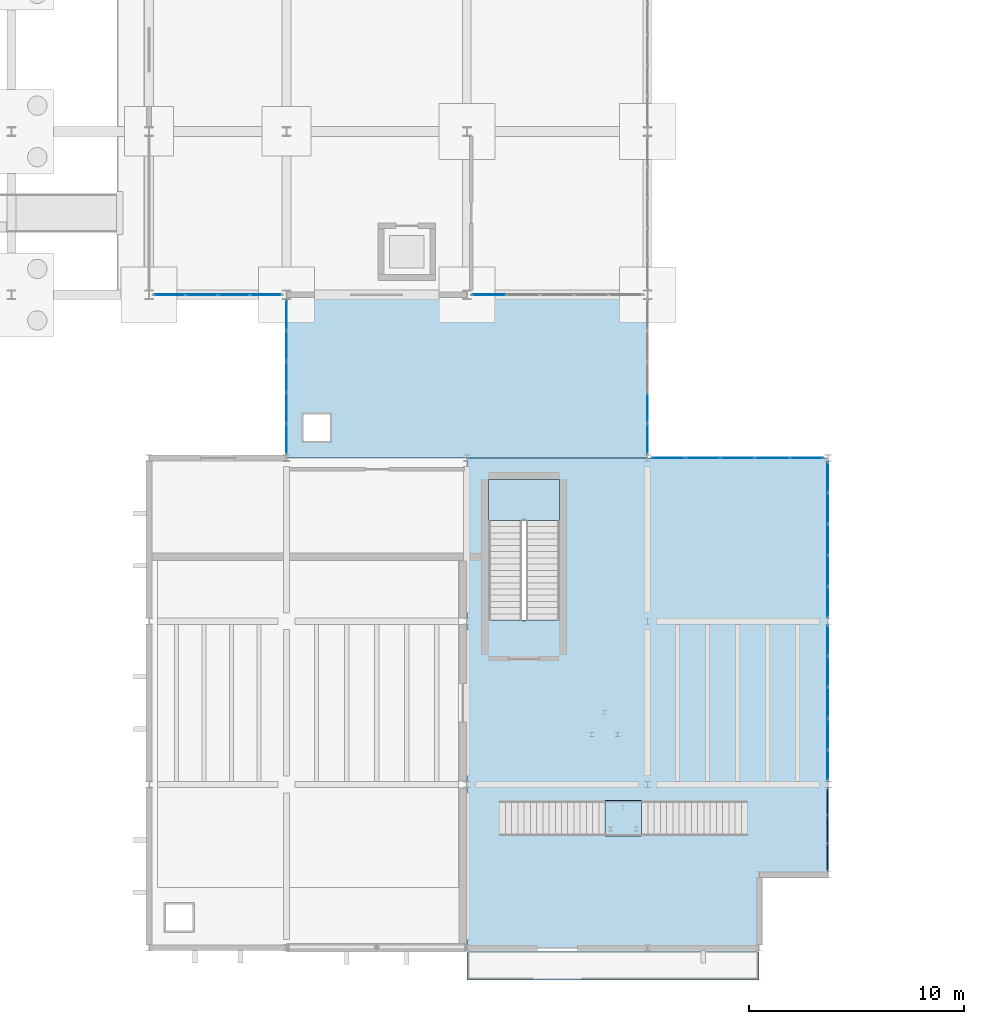
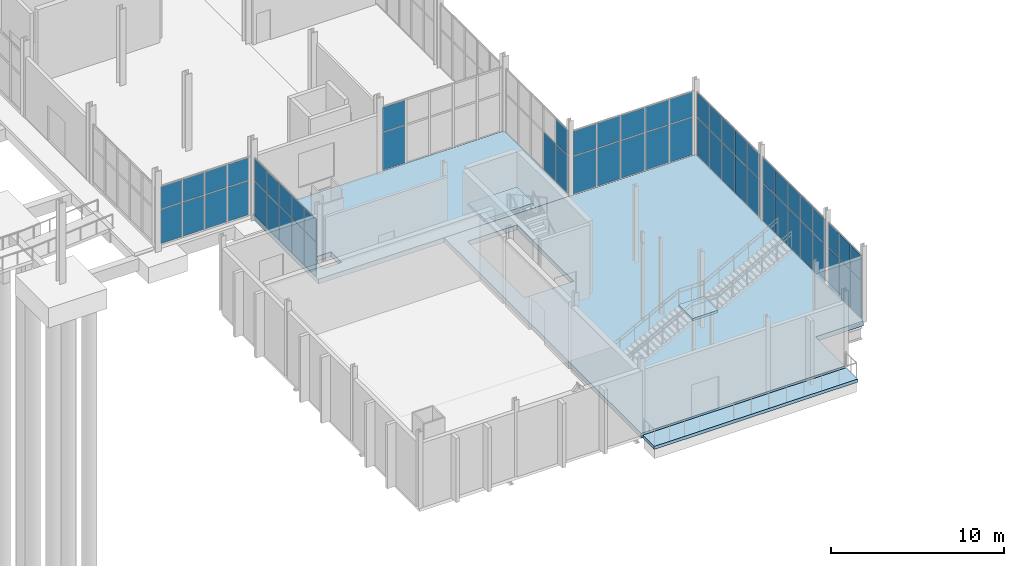
# One storey, part 60 of 95: 59 plates, 5 slabs, 10 elements without a shape of their own.
"""IFC4 building model written with IfcOpenShell, lengths in metres."""

from ifc_helpers import new_model, si_unit, direction, frame, origin, origin_2d, place, context, subcontext, project, spatial, polyline, rectangle, outline, extrude, material, layer, layer_set, type_object, element, aggregate, save


model = new_model("IFC4")

# Units and contexts
model_context = context("Model", 3, precision=1e-05, world=origin(), true_north=direction((0.0, 1.0)))
body_context = subcontext(model_context, "Body", "Model", "MODEL_VIEW")
ifc_project = project(units=[si_unit("LENGTHUNIT", "METRE"), si_unit("AREAUNIT", "SQUARE_METRE"), si_unit("VOLUMEUNIT", "CUBIC_METRE"), si_unit("PLANEANGLEUNIT", "RADIAN"), si_unit("MASSUNIT", "GRAM", prefix="KILO")], contexts=[model_context])

# Site, building, storey
site_placement = place(None, origin())
site = spatial("IfcSite", under=ifc_project, at=site_placement, CompositionType="ELEMENT")
building_placement = place(site_placement, origin())
building = spatial("IfcBuilding", under=site, at=building_placement, Name="Shengluoqiao Park Theatre", CompositionType="ELEMENT")
storey_placement = place(building_placement, origin())
storey = spatial("IfcBuildingStorey", under=building, at=storey_placement, Name="L00", CompositionType="ELEMENT", Elevation=0.0)

# Curtain wall, plates
ifc_material_1 = material(Name="Aluminium 6063-T6", Category="aluminium")
curtain_wall_type_1 = type_object("IfcCurtainWallType", Name="ENV-CW-STUDIO", PredefinedType="NOTDEFINED", material=ifc_material_1)
curtain_wall_1_placement = place(storey_placement, origin())
curtain_wall_1 = element("IfcCurtainWall", 1, at=curtain_wall_1_placement, inside=storey, type_object=curtain_wall_type_1, Name="L00 Curtain Wall CWX-L00-0011", PredefinedType="NOTDEFINED")
ifc_material_2 = material(Name="Insulated glass", Category="glass")
ifc_layer_1 = layer(ifc_material_2, 0.0380859375, Name="Insulated glass")
ifc_layer_set_1 = layer_set([ifc_layer_1], Name="Insulated glass")
plate_type_1 = type_object("IfcPlateType", Name="ENV-GLZ-GL-38", PredefinedType="CURTAIN_PANEL", material=ifc_layer_set_1)
plate_1_placement = place(storey_placement, frame((13.7705078125, 30.39990234375, 0.06005859375), z_axis=(0.0, 0.0, 1.0), x_axis=(1.0, 0.0, 0.0)))
plate_1 = element("IfcPlate", 2, at=plate_1_placement, type_object=plate_type_1, Name="CW-02 panel 1.1", PredefinedType="CURTAIN_PANEL", context=body_context, shape_type="SweptSolid", body=[
    extrude(rectangle(XDim=1.40625, YDim=0.0380859375, at=origin_2d()), origin(), (0.0, 0.0, 1.0), 2.39306640625),
])
plate_2_placement = place(storey_placement, frame((13.7705078125, 30.39990234375, 2.512939453125), z_axis=(0.0, 0.0, 1.0), x_axis=(1.0, 0.0, 0.0)))
plate_2 = element("IfcPlate", 3, at=plate_2_placement, type_object=plate_type_1, Name="CW-02 panel 1.2", PredefinedType="CURTAIN_PANEL", context=body_context, shape_type="SweptSolid", body=[
    extrude(rectangle(XDim=1.40625, YDim=0.0380859375, at=origin_2d()), origin(), (0.0, 0.0, 1.0), 1.56494140625),
])
plate_3_placement = place(storey_placement, frame((15.251953125, 30.39990234375, 0.06005859375), z_axis=(0.0, 0.0, 1.0), x_axis=(1.0, 0.0, 0.0)))
plate_3 = element("IfcPlate", 4, at=plate_3_placement, type_object=plate_type_1, Name="CW-02 panel 2.1", PredefinedType="CURTAIN_PANEL", context=body_context, shape_type="SweptSolid", body=[
    extrude(rectangle(XDim=1.436279296875, YDim=0.0380859375, at=origin_2d()), origin(), (0.0, 0.0, 1.0), 2.39306640625),
])
plate_4_placement = place(storey_placement, frame((15.251953125, 30.39990234375, 2.512939453125), z_axis=(0.0, 0.0, 1.0), x_axis=(1.0, 0.0, 0.0)))
plate_4 = element("IfcPlate", 5, at=plate_4_placement, type_object=plate_type_1, Name="CW-02 panel 2.2", PredefinedType="CURTAIN_PANEL", context=body_context, shape_type="SweptSolid", body=[
    extrude(rectangle(XDim=1.436279296875, YDim=0.0380859375, at=origin_2d()), origin(), (0.0, 0.0, 1.0), 1.56494140625),
])
plate_5_placement = place(storey_placement, frame((16.748046875, 30.39990234375, 0.06005859375), z_axis=(0.0, 0.0, 1.0), x_axis=(1.0, 0.0, 0.0)))
plate_5 = element("IfcPlate", 6, at=plate_5_placement, type_object=plate_type_1, Name="CW-02 panel 3.1", PredefinedType="CURTAIN_PANEL", context=body_context, shape_type="SweptSolid", body=[
    extrude(rectangle(XDim=1.436279296875, YDim=0.0380859375, at=origin_2d()), origin(), (0.0, 0.0, 1.0), 2.39306640625),
])
plate_6_placement = place(storey_placement, frame((16.748046875, 30.39990234375, 2.512939453125), z_axis=(0.0, 0.0, 1.0), x_axis=(1.0, 0.0, 0.0)))
plate_6 = element("IfcPlate", 7, at=plate_6_placement, type_object=plate_type_1, Name="CW-02 panel 3.2", PredefinedType="CURTAIN_PANEL", context=body_context, shape_type="SweptSolid", body=[
    extrude(rectangle(XDim=1.436279296875, YDim=0.0380859375, at=origin_2d()), origin(), (0.0, 0.0, 1.0), 1.56494140625),
])
plate_7_placement = place(storey_placement, frame((18.2294921875, 30.39990234375, 0.06005859375), z_axis=(0.0, 0.0, 1.0), x_axis=(1.0, 0.0, 0.0)))
plate_7 = element("IfcPlate", 8, at=plate_7_placement, type_object=plate_type_1, Name="CW-02 panel 4.1", PredefinedType="CURTAIN_PANEL", context=body_context, shape_type="SweptSolid", body=[
    extrude(rectangle(XDim=1.40625, YDim=0.0380859375, at=origin_2d()), origin(), (0.0, 0.0, 1.0), 2.39306640625),
])
plate_8_placement = place(storey_placement, frame((18.2294921875, 30.39990234375, 2.512939453125), z_axis=(0.0, 0.0, 1.0), x_axis=(1.0, 0.0, 0.0)))
plate_8 = element("IfcPlate", 9, at=plate_8_placement, type_object=plate_type_1, Name="CW-02 panel 4.2", PredefinedType="CURTAIN_PANEL", context=body_context, shape_type="SweptSolid", body=[
    extrude(rectangle(XDim=1.40625, YDim=0.0380859375, at=origin_2d()), origin(), (0.0, 0.0, 1.0), 1.56494140625),
])
aggregate(curtain_wall_1, [plate_1, plate_2, plate_3, plate_4, plate_5, plate_6, plate_7, plate_8])

curtain_wall_2_placement = place(storey_placement, origin())
curtain_wall_2 = element("IfcCurtainWall", 10, at=curtain_wall_2_placement, inside=storey, type_object=curtain_wall_type_1, Name="L00 Curtain Wall CWX-L00-0012", PredefinedType="NOTDEFINED")
plate_9_placement = place(storey_placement, frame((28.62109375, 30.39990234375, 0.06005859375), z_axis=(0.0, 0.0, 1.0), x_axis=(1.0, 0.0, 0.0)))
plate_9 = element("IfcPlate", 11, at=plate_9_placement, type_object=plate_type_1, Name="CW-02 panel 1.1", PredefinedType="CURTAIN_PANEL", context=body_context, shape_type="SweptSolid", body=[
    extrude(rectangle(XDim=1.507080078125, YDim=0.0380859375, at=origin_2d()), origin(), (0.0, 0.0, 1.0), 2.639892578125),
])
plate_10_placement = place(storey_placement, frame((28.62109375, 30.39990234375, 2.760009765625), z_axis=(0.0, 0.0, 1.0), x_axis=(1.0, 0.0, 0.0)))
plate_10 = element("IfcPlate", 12, at=plate_10_placement, type_object=plate_type_1, Name="CW-02 panel 1.2", PredefinedType="CURTAIN_PANEL", context=body_context, shape_type="SweptSolid", body=[
    extrude(rectangle(XDim=1.507080078125, YDim=0.0380859375, at=origin_2d()), origin(), (0.0, 0.0, 1.0), 1.72998046875),
])
aggregate(curtain_wall_2, [plate_9, plate_10])

curtain_wall_type_2 = type_object("IfcCurtainWallType", Name="ENV-CW-COURT", PredefinedType="NOTDEFINED", material=ifc_material_1)
curtain_wall_3_placement = place(storey_placement, origin())
curtain_wall_3 = element("IfcCurtainWall", 13, at=curtain_wall_3_placement, inside=storey, type_object=curtain_wall_type_2, Name="L00 Curtain Wall CWX-L00-0150", PredefinedType="NOTDEFINED")
plate_11_placement = place(storey_placement, frame((44.39990234375, 8.498291015625, 0.06005859375), z_axis=(0.0, 0.0, 1.0), x_axis=(0.0, 1.0, 0.0)))
plate_11 = element("IfcPlate", 14, at=plate_11_placement, type_object=plate_type_1, Name="CW-05 panel 1.1", PredefinedType="CURTAIN_PANEL", context=body_context, shape_type="SweptSolid", body=[
    extrude(rectangle(XDim=1.368408203125, YDim=0.0380859375, at=origin_2d()), origin(), (0.0, 0.0, 1.0), 2.64404296875),
])
plate_12_placement = place(storey_placement, frame((44.39990234375, 8.498291015625, 2.763916015625), z_axis=(0.0, 0.0, 1.0), x_axis=(0.0, 1.0, 0.0)))
plate_12 = element("IfcPlate", 15, at=plate_12_placement, type_object=plate_type_1, Name="CW-05 panel 1.2", PredefinedType="CURTAIN_PANEL", context=body_context, shape_type="SweptSolid", body=[
    extrude(rectangle(XDim=1.368408203125, YDim=0.0380859375, at=origin_2d()), origin(), (0.0, 0.0, 1.0), 1.73193359375),
])
plate_13_placement = place(storey_placement, frame((44.39990234375, 9.941650390625, 0.06005859375), z_axis=(0.0, 0.0, 1.0), x_axis=(0.0, 1.0, 0.0)))
plate_13 = element("IfcPlate", 16, at=plate_13_placement, type_object=plate_type_1, Name="CW-05 panel 2.1", PredefinedType="CURTAIN_PANEL", context=body_context, shape_type="SweptSolid", body=[
    extrude(rectangle(XDim=1.3984375, YDim=0.0380859375, at=origin_2d()), origin(), (0.0, 0.0, 1.0), 2.64404296875),
])
plate_14_placement = place(storey_placement, frame((44.39990234375, 9.941650390625, 2.763916015625), z_axis=(0.0, 0.0, 1.0), x_axis=(0.0, 1.0, 0.0)))
plate_14 = element("IfcPlate", 17, at=plate_14_placement, type_object=plate_type_1, Name="CW-05 panel 2.2", PredefinedType="CURTAIN_PANEL", context=body_context, shape_type="SweptSolid", body=[
    extrude(rectangle(XDim=1.3984375, YDim=0.0380859375, at=origin_2d()), origin(), (0.0, 0.0, 1.0), 1.73193359375),
])
plate_15_placement = place(storey_placement, frame((44.39990234375, 11.39990234375, 0.06005859375), z_axis=(0.0, 0.0, 1.0), x_axis=(0.0, 1.0, 0.0)))
plate_15 = element("IfcPlate", 18, at=plate_15_placement, type_object=plate_type_1, Name="CW-05 panel 3.1", PredefinedType="CURTAIN_PANEL", context=body_context, shape_type="SweptSolid", body=[
    extrude(rectangle(XDim=1.3984375, YDim=0.0380859375, at=origin_2d()), origin(), (0.0, 0.0, 1.0), 2.64404296875),
])
plate_16_placement = place(storey_placement, frame((44.39990234375, 11.39990234375, 2.763916015625), z_axis=(0.0, 0.0, 1.0), x_axis=(0.0, 1.0, 0.0)))
plate_16 = element("IfcPlate", 19, at=plate_16_placement, type_object=plate_type_1, Name="CW-05 panel 3.2", PredefinedType="CURTAIN_PANEL", context=body_context, shape_type="SweptSolid", body=[
    extrude(rectangle(XDim=1.3984375, YDim=0.0380859375, at=origin_2d()), origin(), (0.0, 0.0, 1.0), 1.73193359375),
])
plate_17_placement = place(storey_placement, frame((44.39990234375, 12.8583984375, 0.06005859375), z_axis=(0.0, 0.0, 1.0), x_axis=(0.0, 1.0, 0.0)))
plate_17 = element("IfcPlate", 20, at=plate_17_placement, type_object=plate_type_1, Name="CW-05 panel 4.1", PredefinedType="CURTAIN_PANEL", context=body_context, shape_type="SweptSolid", body=[
    extrude(rectangle(XDim=1.3984375, YDim=0.0380859375, at=origin_2d()), origin(), (0.0, 0.0, 1.0), 2.64404296875),
])
plate_18_placement = place(storey_placement, frame((44.39990234375, 12.8583984375, 2.763916015625), z_axis=(0.0, 0.0, 1.0), x_axis=(0.0, 1.0, 0.0)))
plate_18 = element("IfcPlate", 21, at=plate_18_placement, type_object=plate_type_1, Name="CW-05 panel 4.2", PredefinedType="CURTAIN_PANEL", context=body_context, shape_type="SweptSolid", body=[
    extrude(rectangle(XDim=1.3984375, YDim=0.0380859375, at=origin_2d()), origin(), (0.0, 0.0, 1.0), 1.73193359375),
])
plate_19_placement = place(storey_placement, frame((44.39990234375, 14.3017578125, 0.06005859375), z_axis=(0.0, 0.0, 1.0), x_axis=(0.0, 1.0, 0.0)))
plate_19 = element("IfcPlate", 22, at=plate_19_placement, type_object=plate_type_1, Name="CW-05 panel 5.1", PredefinedType="CURTAIN_PANEL", context=body_context, shape_type="SweptSolid", body=[
    extrude(rectangle(XDim=1.368408203125, YDim=0.0380859375, at=origin_2d()), origin(), (0.0, 0.0, 1.0), 2.64404296875),
])
plate_20_placement = place(storey_placement, frame((44.39990234375, 14.3017578125, 2.763916015625), z_axis=(0.0, 0.0, 1.0), x_axis=(0.0, 1.0, 0.0)))
plate_20 = element("IfcPlate", 23, at=plate_20_placement, type_object=plate_type_1, Name="CW-05 panel 5.2", PredefinedType="CURTAIN_PANEL", context=body_context, shape_type="SweptSolid", body=[
    extrude(rectangle(XDim=1.368408203125, YDim=0.0380859375, at=origin_2d()), origin(), (0.0, 0.0, 1.0), 1.73193359375),
])
aggregate(curtain_wall_3, [plate_11, plate_12, plate_13, plate_14, plate_15, plate_16, plate_17, plate_18, plate_19, plate_20])

curtain_wall_4_placement = place(storey_placement, origin())
curtain_wall_4 = element("IfcCurtainWall", 24, at=curtain_wall_4_placement, inside=storey, type_object=curtain_wall_type_2, Name="L00 Curtain Wall CWX-L00-0151", PredefinedType="NOTDEFINED")
plate_21_placement = place(storey_placement, frame((44.39990234375, 16.09814453125, 0.06005859375), z_axis=(0.0, 0.0, 1.0), x_axis=(0.0, 1.0, 0.0)))
plate_21 = element("IfcPlate", 25, at=plate_21_placement, type_object=plate_type_1, Name="CW-05 panel 1.1", PredefinedType="CURTAIN_PANEL", context=body_context, shape_type="SweptSolid", body=[
    extrude(rectangle(XDim=1.368408203125, YDim=0.0380859375, at=origin_2d()), origin(), (0.0, 0.0, 1.0), 2.64404296875),
])
plate_22_placement = place(storey_placement, frame((44.39990234375, 16.09814453125, 2.763916015625), z_axis=(0.0, 0.0, 1.0), x_axis=(0.0, 1.0, 0.0)))
plate_22 = element("IfcPlate", 26, at=plate_22_placement, type_object=plate_type_1, Name="CW-05 panel 1.2", PredefinedType="CURTAIN_PANEL", context=body_context, shape_type="SweptSolid", body=[
    extrude(rectangle(XDim=1.368408203125, YDim=0.0380859375, at=origin_2d()), origin(), (0.0, 0.0, 1.0), 1.73193359375),
])
plate_23_placement = place(storey_placement, frame((44.39990234375, 17.54150390625, 0.06005859375), z_axis=(0.0, 0.0, 1.0), x_axis=(0.0, 1.0, 0.0)))
plate_23 = element("IfcPlate", 27, at=plate_23_placement, type_object=plate_type_1, Name="CW-05 panel 2.1", PredefinedType="CURTAIN_PANEL", context=body_context, shape_type="SweptSolid", body=[
    extrude(rectangle(XDim=1.3984375, YDim=0.0380859375, at=origin_2d()), origin(), (0.0, 0.0, 1.0), 2.64404296875),
])
plate_24_placement = place(storey_placement, frame((44.39990234375, 17.54150390625, 2.763916015625), z_axis=(0.0, 0.0, 1.0), x_axis=(0.0, 1.0, 0.0)))
plate_24 = element("IfcPlate", 28, at=plate_24_placement, type_object=plate_type_1, Name="CW-05 panel 2.2", PredefinedType="CURTAIN_PANEL", context=body_context, shape_type="SweptSolid", body=[
    extrude(rectangle(XDim=1.3984375, YDim=0.0380859375, at=origin_2d()), origin(), (0.0, 0.0, 1.0), 1.73193359375),
])
plate_25_placement = place(storey_placement, frame((44.39990234375, 19.0, 0.06005859375), z_axis=(0.0, 0.0, 1.0), x_axis=(0.0, 1.0, 0.0)))
plate_25 = element("IfcPlate", 29, at=plate_25_placement, type_object=plate_type_1, Name="CW-05 panel 3.1", PredefinedType="CURTAIN_PANEL", context=body_context, shape_type="SweptSolid", body=[
    extrude(rectangle(XDim=1.3984375, YDim=0.0380859375, at=origin_2d()), origin(), (0.0, 0.0, 1.0), 2.64404296875),
])
plate_26_placement = place(storey_placement, frame((44.39990234375, 19.0, 2.763916015625), z_axis=(0.0, 0.0, 1.0), x_axis=(0.0, 1.0, 0.0)))
plate_26 = element("IfcPlate", 30, at=plate_26_placement, type_object=plate_type_1, Name="CW-05 panel 3.2", PredefinedType="CURTAIN_PANEL", context=body_context, shape_type="SweptSolid", body=[
    extrude(rectangle(XDim=1.3984375, YDim=0.0380859375, at=origin_2d()), origin(), (0.0, 0.0, 1.0), 1.73193359375),
])
plate_27_placement = place(storey_placement, frame((44.39990234375, 20.45849609375, 0.06005859375), z_axis=(0.0, 0.0, 1.0), x_axis=(0.0, 1.0, 0.0)))
plate_27 = element("IfcPlate", 31, at=plate_27_placement, type_object=plate_type_1, Name="CW-05 panel 4.1", PredefinedType="CURTAIN_PANEL", context=body_context, shape_type="SweptSolid", body=[
    extrude(rectangle(XDim=1.3984375, YDim=0.0380859375, at=origin_2d()), origin(), (0.0, 0.0, 1.0), 2.64404296875),
])
plate_28_placement = place(storey_placement, frame((44.39990234375, 20.45849609375, 2.763916015625), z_axis=(0.0, 0.0, 1.0), x_axis=(0.0, 1.0, 0.0)))
plate_28 = element("IfcPlate", 32, at=plate_28_placement, type_object=plate_type_1, Name="CW-05 panel 4.2", PredefinedType="CURTAIN_PANEL", context=body_context, shape_type="SweptSolid", body=[
    extrude(rectangle(XDim=1.3984375, YDim=0.0380859375, at=origin_2d()), origin(), (0.0, 0.0, 1.0), 1.73193359375),
])
plate_29_placement = place(storey_placement, frame((44.39990234375, 21.90185546875, 0.06005859375), z_axis=(0.0, 0.0, 1.0), x_axis=(0.0, 1.0, 0.0)))
plate_29 = element("IfcPlate", 33, at=plate_29_placement, type_object=plate_type_1, Name="CW-05 panel 5.1", PredefinedType="CURTAIN_PANEL", context=body_context, shape_type="SweptSolid", body=[
    extrude(rectangle(XDim=1.368408203125, YDim=0.0380859375, at=origin_2d()), origin(), (0.0, 0.0, 1.0), 2.64404296875),
])
plate_30_placement = place(storey_placement, frame((44.39990234375, 21.90185546875, 2.763916015625), z_axis=(0.0, 0.0, 1.0), x_axis=(0.0, 1.0, 0.0)))
plate_30 = element("IfcPlate", 34, at=plate_30_placement, type_object=plate_type_1, Name="CW-05 panel 5.2", PredefinedType="CURTAIN_PANEL", context=body_context, shape_type="SweptSolid", body=[
    extrude(rectangle(XDim=1.368408203125, YDim=0.0380859375, at=origin_2d()), origin(), (0.0, 0.0, 1.0), 1.73193359375),
])
aggregate(curtain_wall_4, [plate_21, plate_22, plate_23, plate_24, plate_25, plate_26, plate_27, plate_28, plate_29, plate_30])

curtain_wall_5_placement = place(storey_placement, origin())
curtain_wall_5 = element("IfcCurtainWall", 35, at=curtain_wall_5_placement, inside=storey, type_object=curtain_wall_type_2, Name="L00 Curtain Wall CWX-L00-0152", PredefinedType="NOTDEFINED")
plate_31_placement = place(storey_placement, frame((36.980224609375, 22.800048828125, 0.06005859375), z_axis=(0.0, 0.0, 1.0), x_axis=(1.0, 0.0, 0.0)))
plate_31 = element("IfcPlate", 36, at=plate_31_placement, type_object=plate_type_1, Name="CW-05 panel 1.1", PredefinedType="CURTAIN_PANEL", context=body_context, shape_type="SweptSolid", body=[
    extrude(rectangle(XDim=1.52734375, YDim=0.0380859375, at=origin_2d()), origin(), (0.0, 0.0, 1.0), 2.64404296875),
])
plate_32_placement = place(storey_placement, frame((36.980224609375, 22.800048828125, 2.763916015625), z_axis=(0.0, 0.0, 1.0), x_axis=(1.0, 0.0, 0.0)))
plate_32 = element("IfcPlate", 37, at=plate_32_placement, type_object=plate_type_1, Name="CW-05 panel 1.2", PredefinedType="CURTAIN_PANEL", context=body_context, shape_type="SweptSolid", body=[
    extrude(rectangle(XDim=1.52734375, YDim=0.0380859375, at=origin_2d()), origin(), (0.0, 0.0, 1.0), 1.73193359375),
])
plate_33_placement = place(storey_placement, frame((38.58251953125, 22.800048828125, 0.06005859375), z_axis=(0.0, 0.0, 1.0), x_axis=(1.0, 0.0, 0.0)))
plate_33 = element("IfcPlate", 38, at=plate_33_placement, type_object=plate_type_1, Name="CW-05 panel 2.1", PredefinedType="CURTAIN_PANEL", context=body_context, shape_type="SweptSolid", body=[
    extrude(rectangle(XDim=1.557373046875, YDim=0.0380859375, at=origin_2d()), origin(), (0.0, 0.0, 1.0), 2.64404296875),
])
plate_34_placement = place(storey_placement, frame((38.58251953125, 22.800048828125, 2.763916015625), z_axis=(0.0, 0.0, 1.0), x_axis=(1.0, 0.0, 0.0)))
plate_34 = element("IfcPlate", 39, at=plate_34_placement, type_object=plate_type_1, Name="CW-05 panel 2.2", PredefinedType="CURTAIN_PANEL", context=body_context, shape_type="SweptSolid", body=[
    extrude(rectangle(XDim=1.557373046875, YDim=0.0380859375, at=origin_2d()), origin(), (0.0, 0.0, 1.0), 1.73193359375),
])
plate_35_placement = place(storey_placement, frame((40.199951171875, 22.800048828125, 0.06005859375), z_axis=(0.0, 0.0, 1.0), x_axis=(1.0, 0.0, 0.0)))
plate_35 = element("IfcPlate", 40, at=plate_35_placement, type_object=plate_type_1, Name="CW-05 panel 3.1", PredefinedType="CURTAIN_PANEL", context=body_context, shape_type="SweptSolid", body=[
    extrude(rectangle(XDim=1.557373046875, YDim=0.0380859375, at=origin_2d()), origin(), (0.0, 0.0, 1.0), 2.64404296875),
])
plate_36_placement = place(storey_placement, frame((40.199951171875, 22.800048828125, 2.763916015625), z_axis=(0.0, 0.0, 1.0), x_axis=(1.0, 0.0, 0.0)))
plate_36 = element("IfcPlate", 41, at=plate_36_placement, type_object=plate_type_1, Name="CW-05 panel 3.2", PredefinedType="CURTAIN_PANEL", context=body_context, shape_type="SweptSolid", body=[
    extrude(rectangle(XDim=1.557373046875, YDim=0.0380859375, at=origin_2d()), origin(), (0.0, 0.0, 1.0), 1.73193359375),
])
plate_37_placement = place(storey_placement, frame((41.8173828125, 22.800048828125, 0.06005859375), z_axis=(0.0, 0.0, 1.0), x_axis=(1.0, 0.0, 0.0)))
plate_37 = element("IfcPlate", 42, at=plate_37_placement, type_object=plate_type_1, Name="CW-05 panel 4.1", PredefinedType="CURTAIN_PANEL", context=body_context, shape_type="SweptSolid", body=[
    extrude(rectangle(XDim=1.557373046875, YDim=0.0380859375, at=origin_2d()), origin(), (0.0, 0.0, 1.0), 2.64404296875),
])
plate_38_placement = place(storey_placement, frame((41.8173828125, 22.800048828125, 2.763916015625), z_axis=(0.0, 0.0, 1.0), x_axis=(1.0, 0.0, 0.0)))
plate_38 = element("IfcPlate", 43, at=plate_38_placement, type_object=plate_type_1, Name="CW-05 panel 4.2", PredefinedType="CURTAIN_PANEL", context=body_context, shape_type="SweptSolid", body=[
    extrude(rectangle(XDim=1.557373046875, YDim=0.0380859375, at=origin_2d()), origin(), (0.0, 0.0, 1.0), 1.73193359375),
])
plate_39_placement = place(storey_placement, frame((43.419921875, 22.800048828125, 0.06005859375), z_axis=(0.0, 0.0, 1.0), x_axis=(1.0, 0.0, 0.0)))
plate_39 = element("IfcPlate", 44, at=plate_39_placement, type_object=plate_type_1, Name="CW-05 panel 5.1", PredefinedType="CURTAIN_PANEL", context=body_context, shape_type="SweptSolid", body=[
    extrude(rectangle(XDim=1.52734375, YDim=0.0380859375, at=origin_2d()), origin(), (0.0, 0.0, 1.0), 2.64404296875),
])
plate_40_placement = place(storey_placement, frame((43.419921875, 22.800048828125, 2.763916015625), z_axis=(0.0, 0.0, 1.0), x_axis=(1.0, 0.0, 0.0)))
plate_40 = element("IfcPlate", 45, at=plate_40_placement, type_object=plate_type_1, Name="CW-05 panel 5.2", PredefinedType="CURTAIN_PANEL", context=body_context, shape_type="SweptSolid", body=[
    extrude(rectangle(XDim=1.52734375, YDim=0.0380859375, at=origin_2d()), origin(), (0.0, 0.0, 1.0), 1.73193359375),
])
aggregate(curtain_wall_5, [plate_31, plate_32, plate_33, plate_34, plate_35, plate_36, plate_37, plate_38, plate_39, plate_40])

curtain_wall_6_placement = place(storey_placement, origin())
curtain_wall_6 = element("IfcCurtainWall", 46, at=curtain_wall_6_placement, inside=storey, type_object=curtain_wall_type_2, Name="L00 Curtain Wall CWX-L00-0153", PredefinedType="NOTDEFINED")
plate_41_placement = place(storey_placement, frame((19.199951171875, 23.69189453125, 0.06005859375), z_axis=(0.0, 0.0, 1.0), x_axis=(0.0, 1.0, 0.0)))
plate_41 = element("IfcPlate", 47, at=plate_41_placement, type_object=plate_type_1, Name="CW-05 panel 1.1", PredefinedType="CURTAIN_PANEL", context=body_context, shape_type="SweptSolid", body=[
    extrude(rectangle(XDim=1.355712890625, YDim=0.0380859375, at=origin_2d()), origin(), (0.0, 0.0, 1.0), 2.39306640625),
])
plate_42_placement = place(storey_placement, frame((19.199951171875, 23.69189453125, 2.512939453125), z_axis=(0.0, 0.0, 1.0), x_axis=(0.0, 1.0, 0.0)))
plate_42 = element("IfcPlate", 48, at=plate_42_placement, type_object=plate_type_1, Name="CW-05 panel 1.2", PredefinedType="CURTAIN_PANEL", context=body_context, shape_type="SweptSolid", body=[
    extrude(rectangle(XDim=1.355712890625, YDim=0.0380859375, at=origin_2d()), origin(), (0.0, 0.0, 1.0), 1.56494140625),
])
plate_43_placement = place(storey_placement, frame((19.199951171875, 25.122314453125, 0.06005859375), z_axis=(0.0, 0.0, 1.0), x_axis=(0.0, 1.0, 0.0)))
plate_43 = element("IfcPlate", 49, at=plate_43_placement, type_object=plate_type_1, Name="CW-05 panel 2.1", PredefinedType="CURTAIN_PANEL", context=body_context, shape_type="SweptSolid", body=[
    extrude(rectangle(XDim=1.385498046875, YDim=0.0380859375, at=origin_2d()), origin(), (0.0, 0.0, 1.0), 2.39306640625),
])
plate_44_placement = place(storey_placement, frame((19.199951171875, 25.122314453125, 2.512939453125), z_axis=(0.0, 0.0, 1.0), x_axis=(0.0, 1.0, 0.0)))
plate_44 = element("IfcPlate", 50, at=plate_44_placement, type_object=plate_type_1, Name="CW-05 panel 2.2", PredefinedType="CURTAIN_PANEL", context=body_context, shape_type="SweptSolid", body=[
    extrude(rectangle(XDim=1.385498046875, YDim=0.0380859375, at=origin_2d()), origin(), (0.0, 0.0, 1.0), 1.56494140625),
])
plate_45_placement = place(storey_placement, frame((19.199951171875, 26.568115234375, 0.06005859375), z_axis=(0.0, 0.0, 1.0), x_axis=(0.0, 1.0, 0.0)))
plate_45 = element("IfcPlate", 51, at=plate_45_placement, type_object=plate_type_1, Name="CW-05 panel 3.1", PredefinedType="CURTAIN_PANEL", context=body_context, shape_type="SweptSolid", body=[
    extrude(rectangle(XDim=1.385498046875, YDim=0.0380859375, at=origin_2d()), origin(), (0.0, 0.0, 1.0), 2.39306640625),
])
plate_46_placement = place(storey_placement, frame((19.199951171875, 26.568115234375, 2.512939453125), z_axis=(0.0, 0.0, 1.0), x_axis=(0.0, 1.0, 0.0)))
plate_46 = element("IfcPlate", 52, at=plate_46_placement, type_object=plate_type_1, Name="CW-05 panel 3.2", PredefinedType="CURTAIN_PANEL", context=body_context, shape_type="SweptSolid", body=[
    extrude(rectangle(XDim=1.385498046875, YDim=0.0380859375, at=origin_2d()), origin(), (0.0, 0.0, 1.0), 1.56494140625),
])
plate_47_placement = place(storey_placement, frame((19.199951171875, 28.013671875, 0.06005859375), z_axis=(0.0, 0.0, 1.0), x_axis=(0.0, 1.0, 0.0)))
plate_47 = element("IfcPlate", 53, at=plate_47_placement, type_object=plate_type_1, Name="CW-05 panel 4.1", PredefinedType="CURTAIN_PANEL", context=body_context, shape_type="SweptSolid", body=[
    extrude(rectangle(XDim=1.385498046875, YDim=0.0380859375, at=origin_2d()), origin(), (0.0, 0.0, 1.0), 2.39306640625),
])
plate_48_placement = place(storey_placement, frame((19.199951171875, 28.013671875, 2.512939453125), z_axis=(0.0, 0.0, 1.0), x_axis=(0.0, 1.0, 0.0)))
plate_48 = element("IfcPlate", 54, at=plate_48_placement, type_object=plate_type_1, Name="CW-05 panel 4.2", PredefinedType="CURTAIN_PANEL", context=body_context, shape_type="SweptSolid", body=[
    extrude(rectangle(XDim=1.385498046875, YDim=0.0380859375, at=origin_2d()), origin(), (0.0, 0.0, 1.0), 1.56494140625),
])
plate_49_placement = place(storey_placement, frame((19.199951171875, 29.444091796875, 0.06005859375), z_axis=(0.0, 0.0, 1.0), x_axis=(0.0, 1.0, 0.0)))
plate_49 = element("IfcPlate", 55, at=plate_49_placement, type_object=plate_type_1, Name="CW-05 panel 5.1", PredefinedType="CURTAIN_PANEL", context=body_context, shape_type="SweptSolid", body=[
    extrude(rectangle(XDim=1.355712890625, YDim=0.0380859375, at=origin_2d()), origin(), (0.0, 0.0, 1.0), 2.39306640625),
])
plate_50_placement = place(storey_placement, frame((19.199951171875, 29.444091796875, 2.512939453125), z_axis=(0.0, 0.0, 1.0), x_axis=(0.0, 1.0, 0.0)))
plate_50 = element("IfcPlate", 56, at=plate_50_placement, type_object=plate_type_1, Name="CW-05 panel 5.2", PredefinedType="CURTAIN_PANEL", context=body_context, shape_type="SweptSolid", body=[
    extrude(rectangle(XDim=1.355712890625, YDim=0.0380859375, at=origin_2d()), origin(), (0.0, 0.0, 1.0), 1.56494140625),
])
aggregate(curtain_wall_6, [plate_41, plate_42, plate_43, plate_44, plate_45, plate_46, plate_47, plate_48, plate_49, plate_50])

curtain_wall_7_placement = place(storey_placement, origin())
curtain_wall_7 = element("IfcCurtainWall", 57, at=curtain_wall_7_placement, inside=storey, type_object=curtain_wall_type_2, Name="L00 Curtain Wall CWX-L00-0154", PredefinedType="NOTDEFINED")
plate_51_placement = place(storey_placement, frame((36.0, 23.69189453125, 0.06005859375), z_axis=(0.0, 0.0, 1.0), x_axis=(0.0, 1.0, 0.0)))
plate_51 = element("IfcPlate", 58, at=plate_51_placement, type_object=plate_type_1, Name="CW-05 panel 1.1", PredefinedType="CURTAIN_PANEL", context=body_context, shape_type="SweptSolid", body=[
    extrude(rectangle(XDim=1.355712890625, YDim=0.0380859375, at=origin_2d()), origin(), (0.0, 0.0, 1.0), 2.639892578125),
])
plate_52_placement = place(storey_placement, frame((36.0, 23.69189453125, 2.760009765625), z_axis=(0.0, 0.0, 1.0), x_axis=(0.0, 1.0, 0.0)))
plate_52 = element("IfcPlate", 59, at=plate_52_placement, type_object=plate_type_1, Name="CW-05 panel 1.2", PredefinedType="CURTAIN_PANEL", context=body_context, shape_type="SweptSolid", body=[
    extrude(rectangle(XDim=1.355712890625, YDim=0.0380859375, at=origin_2d()), origin(), (0.0, 0.0, 1.0), 1.72998046875),
])
plate_53_placement = place(storey_placement, frame((36.0, 25.122314453125, 0.06005859375), z_axis=(0.0, 0.0, 1.0), x_axis=(0.0, 1.0, 0.0)))
plate_53 = element("IfcPlate", 60, at=plate_53_placement, type_object=plate_type_1, Name="CW-05 panel 2.1", PredefinedType="CURTAIN_PANEL", context=body_context, shape_type="SweptSolid", body=[
    extrude(rectangle(XDim=1.385498046875, YDim=0.0380859375, at=origin_2d()), origin(), (0.0, 0.0, 1.0), 2.639892578125),
])
aggregate(curtain_wall_7, [plate_51, plate_52, plate_53])

curtain_wall_8_placement = place(storey_placement, origin())
curtain_wall_8 = element("IfcCurtainWall", 61, at=curtain_wall_8_placement, inside=storey, type_object=curtain_wall_type_2, Name="L00 Curtain Wall CWX-L00-0149", PredefinedType="NOTDEFINED")
ifc_layer_2 = layer(ifc_material_2, 0.05810546875, Name="Insulated glass")
ifc_layer_set_2 = layer_set([ifc_layer_2], Name="Insulated glass")
plate_type_2 = type_object("IfcPlateType", Name="ENV-GLZ-GL-58", PredefinedType="CURTAIN_PANEL", material=ifc_layer_set_2)
plate_54_placement = place(storey_placement, frame((44.39990234375, 4.2177734375, 0.06005859375), z_axis=(0.0, 0.0, 1.0), x_axis=(0.0, 1.0, 0.0)))
plate_54 = element("IfcPlate", 62, at=plate_54_placement, type_object=plate_type_2, Name="CW-05 panel 1.1", PredefinedType="CURTAIN_PANEL", context=body_context, shape_type="SweptSolid", body=[
    extrude(rectangle(XDim=1.207275390625, YDim=0.05810546875, at=origin_2d()), origin(), (0.0, 0.0, 1.0), 2.64404296875),
])
plate_55_placement = place(storey_placement, frame((44.39990234375, 4.2177734375, 2.763916015625), z_axis=(0.0, 0.0, 1.0), x_axis=(0.0, 1.0, 0.0)))
plate_55 = element("IfcPlate", 63, at=plate_55_placement, type_object=plate_type_2, Name="CW-05 panel 1.2", PredefinedType="CURTAIN_PANEL", context=body_context, shape_type="SweptSolid", body=[
    extrude(rectangle(XDim=1.207275390625, YDim=0.05810546875, at=origin_2d()), origin(), (0.0, 0.0, 1.0), 1.73193359375),
])
plate_56_placement = place(storey_placement, frame((44.39990234375, 5.5, 0.06005859375), z_axis=(0.0, 0.0, 1.0), x_axis=(0.0, 1.0, 0.0)))
plate_56 = element("IfcPlate", 64, at=plate_56_placement, type_object=plate_type_2, Name="CW-05 panel 2.1", PredefinedType="CURTAIN_PANEL", context=body_context, shape_type="SweptSolid", body=[
    extrude(rectangle(XDim=1.2373046875, YDim=0.05810546875, at=origin_2d()), origin(), (0.0, 0.0, 1.0), 2.64404296875),
])
plate_57_placement = place(storey_placement, frame((44.39990234375, 5.5, 2.763916015625), z_axis=(0.0, 0.0, 1.0), x_axis=(0.0, 1.0, 0.0)))
plate_57 = element("IfcPlate", 65, at=plate_57_placement, type_object=plate_type_2, Name="CW-05 panel 2.2", PredefinedType="CURTAIN_PANEL", context=body_context, shape_type="SweptSolid", body=[
    extrude(rectangle(XDim=1.2373046875, YDim=0.05810546875, at=origin_2d()), origin(), (0.0, 0.0, 1.0), 1.73193359375),
])
plate_58_placement = place(storey_placement, frame((44.39990234375, 6.7822265625, 0.06005859375), z_axis=(0.0, 0.0, 1.0), x_axis=(0.0, 1.0, 0.0)))
plate_58 = element("IfcPlate", 66, at=plate_58_placement, type_object=plate_type_2, Name="CW-05 panel 3.1", PredefinedType="CURTAIN_PANEL", context=body_context, shape_type="SweptSolid", body=[
    extrude(rectangle(XDim=1.207275390625, YDim=0.05810546875, at=origin_2d()), origin(), (0.0, 0.0, 1.0), 2.64404296875),
])
plate_59_placement = place(storey_placement, frame((44.39990234375, 6.7822265625, 2.763916015625), z_axis=(0.0, 0.0, 1.0), x_axis=(0.0, 1.0, 0.0)))
plate_59 = element("IfcPlate", 67, at=plate_59_placement, type_object=plate_type_2, Name="CW-05 panel 3.2", PredefinedType="CURTAIN_PANEL", context=body_context, shape_type="SweptSolid", body=[
    extrude(rectangle(XDim=1.207275390625, YDim=0.05810546875, at=origin_2d()), origin(), (0.0, 0.0, 1.0), 1.73193359375),
])
aggregate(curtain_wall_8, [plate_54, plate_55, plate_56, plate_57, plate_58, plate_59])

# Slab
ifc_material_3 = material(Name="Concrete C40", Category="concrete")
ifc_layer_3 = layer(ifc_material_3, 0.219970703125, Name="Concrete C40")
ifc_layer_set_3 = layer_set([ifc_layer_3], Name="Concrete C40")
slab_type_1 = type_object("IfcSlabType", Name="ENV-SLB-APRON", PredefinedType="BASESLAB", material=ifc_layer_set_3)
slab_1_placement = place(storey_placement, frame((0.0, 0.0, -0.219970703125)))
element("IfcSlab", 68, at=slab_1_placement, inside=storey, type_object=slab_type_1, Name="Exterior Threshold Apron APR-STH-BBX", PredefinedType="BASESLAB", context=body_context, shape_type="SweptSolid", body=[
    extrude(outline(polyline([(27.60009765625, -1.5), (41.199951171875, -1.5), (41.199951171875, -0.179931640625), (27.60009765625, -0.179931640625), (27.60009765625, -1.5)])), origin(), (0.0, 0.0, 1.0), 0.219970703125),
])

# Stair, slab
stair_type_1 = type_object("IfcStairType", Name="INT-STR-CORE", PredefinedType="HALF_TURN_STAIR", material=ifc_material_3)
stair_1_placement = place(storey_placement, origin())
stair_1 = element("IfcStair", 69, at=stair_1_placement, inside=storey, type_object=stair_type_1, Name="L00 Studio and Black-Box Escape Stair 04", PredefinedType="HALF_TURN_STAIR")
ifc_layer_4 = layer(ifc_material_3, 0.169921875, Name="Concrete C40")
ifc_layer_set_4 = layer_set([ifc_layer_4], Name="Concrete C40")
slab_type_2 = type_object("IfcSlabType", Name="INT-LND-SL-170", PredefinedType="LANDING", material=ifc_layer_set_4)
slab_2_placement = place(storey_placement, frame((0.0, 0.0, 2.5)))
slab_2 = element("IfcSlab", 70, at=slab_2_placement, type_object=slab_type_2, Name="ST-04 landing 1", PredefinedType="LANDING", context=body_context, shape_type="SweptSolid", body=[
    extrude(outline(polyline([(31.89990234375, 19.889892578125), (31.89990234375, 21.800048828125), (28.60009765625, 21.800048828125), (28.60009765625, 19.889892578125), (31.89990234375, 19.889892578125)])), origin(), (0.0, 0.0, 1.0), 0.199951171875),
])
aggregate(stair_1, [slab_2])

ifc_material_4 = material(Name="Steel Q355", Category="steel")
stair_type_2 = type_object("IfcStairType", Name="INT-STR-ST-F165", PredefinedType="STRAIGHT_RUN_STAIR", material=ifc_material_4)
stair_2_placement = place(storey_placement, origin())
stair_2 = element("IfcStair", 71, at=stair_2_placement, inside=storey, type_object=stair_type_2, Name="Park-Court Gallery Stair 08", PredefinedType="STRAIGHT_RUN_STAIR")
slab_3_placement = place(storey_placement, frame((0.0, 0.0, 2.530029296875)))
slab_3 = element("IfcSlab", 72, at=slab_3_placement, type_object=slab_type_2, Name="ST-08 landing 1", PredefinedType="LANDING", context=body_context, shape_type="SweptSolid", body=[
    extrude(outline(polyline([(34.030029296875, 5.199951171875), (35.72998046875, 5.199951171875), (35.72998046875, 6.85009765625), (34.030029296875, 6.85009765625), (34.030029296875, 5.199951171875)])), origin(), (0.0, 0.0, 1.0), 0.169921875),
])
aggregate(stair_2, [slab_3])

# Slabs
ifc_layer_5 = layer(ifc_material_3, 0.340087890625, Name="Concrete C40")
ifc_layer_set_5 = layer_set([ifc_layer_5], Name="Concrete C40")
slab_type_3 = type_object("IfcSlabType", Name="STR-SLB-FL340", PredefinedType="FLOOR", material=ifc_layer_set_5)
slab_4_placement = place(storey_placement, frame((0.0, 0.0, -0.340087890625)))
element("IfcSlab", 73, at=slab_4_placement, inside=storey, type_object=slab_type_3, Name="Floor Slab L00-V4-SE", PredefinedType="FLOOR", context=body_context, shape_type="SweptSolid", body=[
    extrude(outline(polyline([(27.60009765625, 22.800048828125), (44.39990234375, 22.800048828125), (44.39990234375, 3.39990234375), (41.199951171875, 3.39990234375), (41.199951171875, 0.0), (27.60009765625, 0.0), (27.60009765625, 22.800048828125)]), holes=[polyline([(31.89990234375, 21.800048828125), (28.60009765625, 21.800048828125), (28.60009765625, 15.25390625), (31.89990234375, 15.25390625), (31.89990234375, 21.800048828125)])]), origin(), (0.0, 0.0, 1.0), 0.340087890625),
])
slab_5_placement = place(storey_placement, frame((0.0, 0.0, -0.340087890625)))
element("IfcSlab", 74, at=slab_5_placement, inside=storey, type_object=slab_type_3, Name="Floor Slab L00-V4-LINK", PredefinedType="FLOOR", context=body_context, shape_type="SweptSolid", body=[
    extrude(outline(polyline([(19.199951171875, 22.800048828125), (19.199951171875, 30.39990234375), (36.0, 30.39990234375), (36.0, 22.800048828125), (19.199951171875, 22.800048828125)]), holes=[polyline([(21.219970703125, 24.820068359375), (20.0, 24.820068359375), (20.0, 23.60009765625), (21.219970703125, 23.60009765625), (21.219970703125, 24.820068359375)])]), origin(), (0.0, 0.0, 1.0), 0.340087890625),
])

save(model, "model.ifc")
